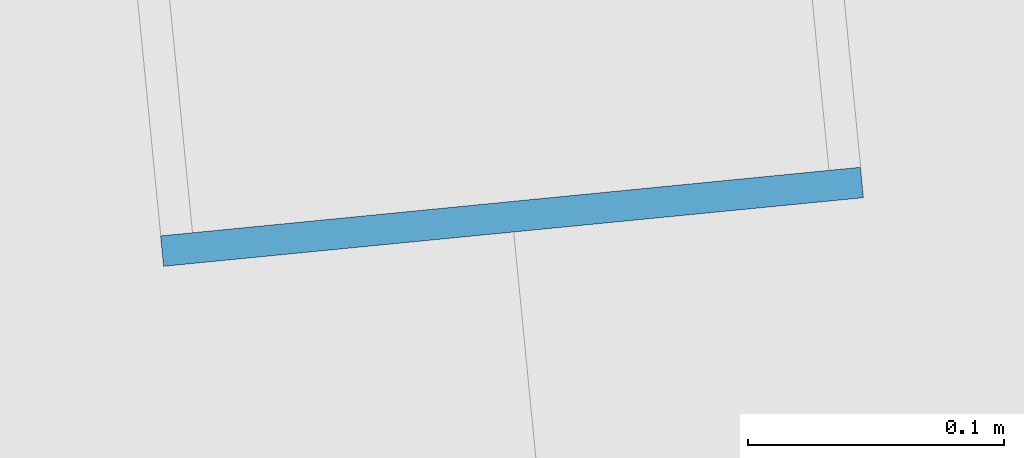
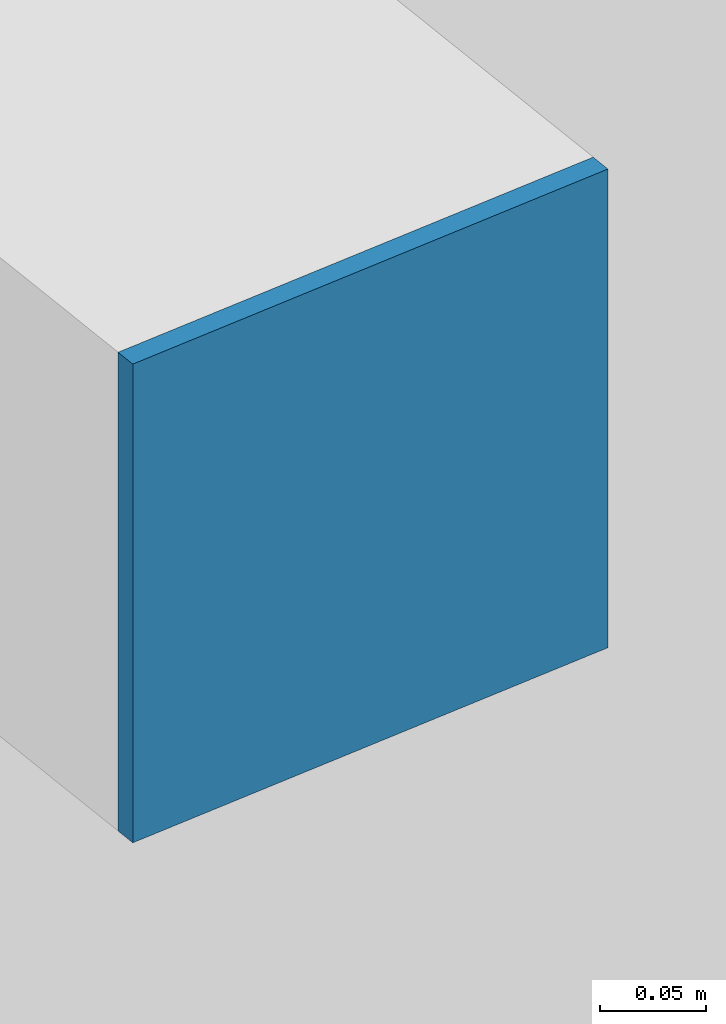
# One storey, part 39 of 53: 1 plate.
"""IFC4 building model written with IfcOpenShell, lengths in metres."""

from ifc_helpers import new_model, si_unit, direction, frame, origin, origin_2d, place, context, subcontext, project, spatial, rectangle, extrude, source, transform, mapped, material, layer, layer_set, type_object, element, save


model = new_model("IFC4")

# Units and contexts
model_context = context("Model", 3, precision=1e-05, world=origin(), true_north=direction((0.0, 1.0)))
body_context = subcontext(model_context, "Body", "Model", "MODEL_VIEW")
ifc_project = project(units=[si_unit("LENGTHUNIT", "METRE"), si_unit("AREAUNIT", "SQUARE_METRE"), si_unit("VOLUMEUNIT", "CUBIC_METRE"), si_unit("PLANEANGLEUNIT", "RADIAN"), si_unit("MASSUNIT", "GRAM", prefix="KILO")], contexts=[model_context])

# Site, building, storey
site_placement = place(None, origin())
site = spatial("IfcSite", under=ifc_project, at=site_placement, CompositionType="ELEMENT")
building_placement = place(site_placement, origin())
building = spatial("IfcBuilding", under=site, at=building_placement, Name="Taldren Reach Tower", CompositionType="ELEMENT")
storey_placement = place(building_placement, frame((0.0, 0.0, 68.25)))
storey = spatial("IfcBuildingStorey", under=building, at=storey_placement, Name="L20", CompositionType="ELEMENT", Elevation=68.25)

# Plate
ifc_material = material(Name="Steel Gr 450 (C450L0)", Category="steel")
ifc_layer = layer(ifc_material, 0.011962890625)
ifc_layer_set = layer_set([ifc_layer], Name="Steel Gr 450 (C450L0)")
plate_type = type_object("IfcPlateType", Name="PL-CAP-275", PredefinedType="SHEET", material=ifc_layer_set)
shared_shape = source(origin(), body_context, "Body", "SweptSolid", [
    extrude(rectangle(XDim=0.27490234375, YDim=0.011962890625, at=origin_2d()), origin(), (0.0, 0.0, 1.0), 0.27490234375),
])
plate_placement = place(storey_placement, frame((34.353515625, 0.2607421875, 2.512451171875), z_axis=(0.0, 0.0, 1.0), x_axis=(0.995227399982, 0.097582899759, 0.0)))
element("IfcPlate", 1, at=plate_placement, inside=storey, type_object=plate_type, Name="Tie strut end cap plate B2-S3 L20", PredefinedType="SHEET", context=body_context, shape_type="MappedRepresentation", body=[
    mapped(shared_shape, transform((0.0, 0.0, 0.0), scale=1.0)),
])

save(model, "model.ifc")
